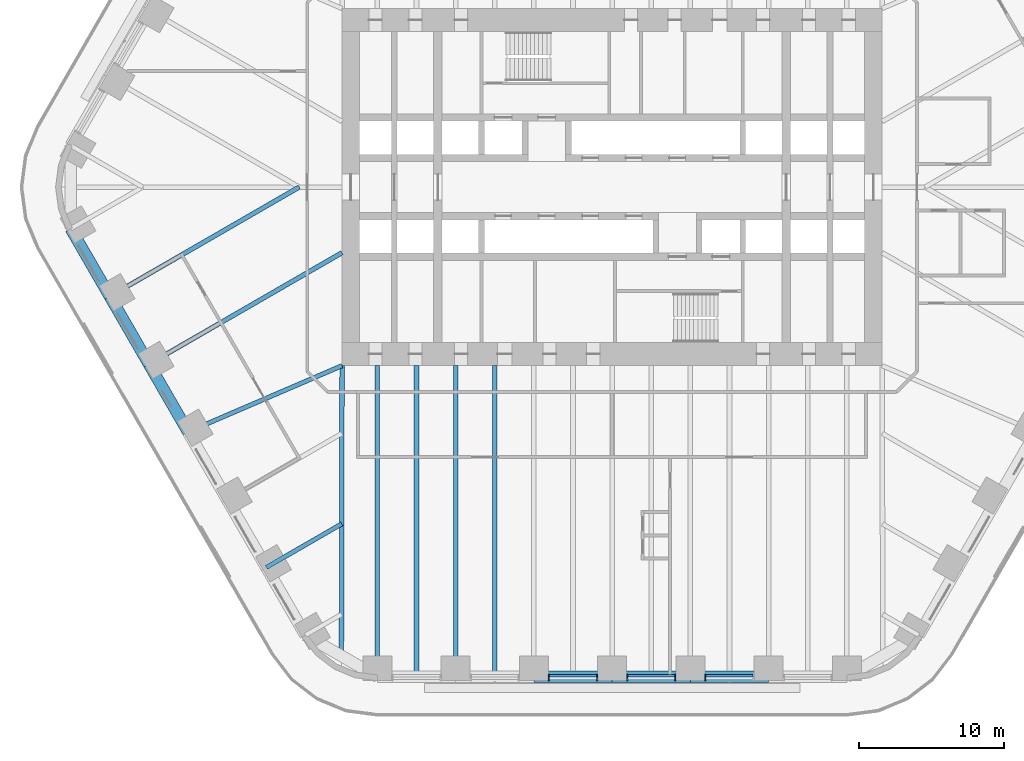
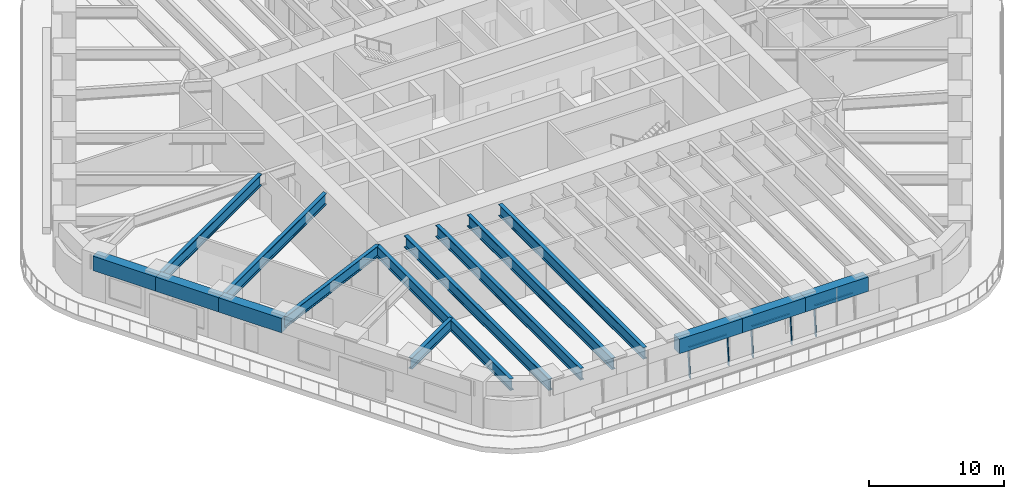
# One storey, part 3 of 24: 15 beams, 8 members, 3 elements without a shape of their own.
"""IFC4 building model written with IfcOpenShell, lengths in metres."""

import ifcopenshell
import ifcopenshell.guid

model = None  # the IFC model being written
_history = None  # IfcOwnerHistory: only IFC2X3 demands one
_inside = {}  # id of a spatial element -> (the spatial element, [elements in it])
_under = {}  # id of a project, library or spatial element -> (it, [spatial elements below it])
_declared = {}  # id of a project -> (the project, [libraries it declares])
_typed = {}  # id of a type object -> (the type object, [elements of that type])
_made_of = {}  # id of a material, layer set ... -> (it, [elements and type objects made of it])


def new_model(schema):
    """Start an empty IFC model of exactly this schema.

    Asked for "IFC4X3", IfcOpenShell would pick the latest addendum, in which some entities
    have other attributes; the version numbers below select the first issue.
    IFC2X3 requires an IfcOwnerHistory on every rooted entity: one is made here for all.
    """
    global model, _history
    if schema == "IFC4X3":
        model = ifcopenshell.file(schema_version=(4, 3, 0, 0))
    else:
        model = ifcopenshell.file(schema=schema)
    _inside.clear()
    _under.clear()
    _declared.clear()
    _typed.clear()
    _made_of.clear()
    _history = None
    if model.schema == "IFC2X3":
        org = make("IfcOrganization", Name="unknown")
        user = make(
            "IfcPersonAndOrganization",
            ThePerson=make("IfcPerson", FamilyName="unknown"),
            TheOrganization=org,
        )
        app = make(
            "IfcApplication",
            ApplicationDeveloper=org,
            Version="unknown",
            ApplicationFullName="unknown",
            ApplicationIdentifier="unknown",
        )
        _history = make(
            "IfcOwnerHistory",
            OwningUser=user,
            OwningApplication=app,
            ChangeAction="ADDED",
            CreationDate=0,
        )
    return model


def make(cls, **values):
    """One entity of the class cls with the attributes given. An attribute that is None is left unset."""
    return model.create_entity(
        cls, **{name: value for name, value in values.items() if value is not None}
    )


def rooted(cls, **values):
    """An entity with a GlobalId (a new one), such as an element, a storey or a relation."""
    return make(cls, GlobalId=ifcopenshell.guid.new(), OwnerHistory=_history, **values)


def si_unit(unit_type, name, prefix=None):
    """IfcSIUnit, for example si_unit("LENGTHUNIT", "METRE", prefix="MILLI")."""
    return make("IfcSIUnit", UnitType=unit_type, Prefix=prefix, Name=name)


def assignment(units):
    """IfcUnitAssignment: the units of a project."""
    return None if units is None else make("IfcUnitAssignment", Units=units)


def point(xyz):
    """IfcCartesianPoint."""
    return None if xyz is None else make("IfcCartesianPoint", Coordinates=xyz)


def direction(xyz):
    """IfcDirection."""
    return None if xyz is None else make("IfcDirection", DirectionRatios=xyz)


def frame(location, z_axis=None, x_axis=None):
    """IfcAxis2Placement3D, a coordinate frame: its origin and axes. An axis left out is left unset."""
    return make(
        "IfcAxis2Placement3D",
        Location=point(location),
        Axis=direction(z_axis),
        RefDirection=direction(x_axis),
    )


def frame_2d(location, x_axis=None):
    """IfcAxis2Placement2D, a coordinate frame in the plane: its origin and x axis."""
    return make(
        "IfcAxis2Placement2D", Location=point(location), RefDirection=direction(x_axis)
    )


def origin():
    """The frame at (0, 0, 0) with its axes left unset."""
    return frame((0.0, 0.0, 0.0))


def origin_2d():
    """The frame at (0, 0) in the plane with its x axis left unset."""
    return frame_2d((0.0, 0.0))


def place(relative_to, where):
    """IfcLocalPlacement: puts the frame where relative to a parent placement (None: the world)."""
    return make(
        "IfcLocalPlacement", PlacementRelTo=relative_to, RelativePlacement=where
    )


def context(
    kind, dimensions, precision=None, world=None, true_north=None, identifier=None
):
    """IfcGeometricRepresentationContext, for example the 3D "Model" context."""
    return make(
        "IfcGeometricRepresentationContext",
        ContextIdentifier=identifier,
        ContextType=kind,
        CoordinateSpaceDimension=dimensions,
        Precision=precision,
        WorldCoordinateSystem=world,
        TrueNorth=true_north,
    )


def subcontext(parent, identifier, kind, view, scale=None):
    """IfcGeometricRepresentationSubContext, for example "Body" below "Model"."""
    return make(
        "IfcGeometricRepresentationSubContext",
        ContextIdentifier=identifier,
        ContextType=kind,
        ParentContext=parent,
        TargetScale=scale,
        TargetView=view,
    )


def project(units=None, contexts=None):
    """IfcProject with its units and contexts."""
    return rooted(
        "IfcProject",
        Name="project",
        RepresentationContexts=contexts,
        UnitsInContext=assignment(units),
    )


def spatial(cls, under=None, at=None, **own):
    """A site, building, storey or space (cls), placed at a placement, below another one or the project."""
    s = rooted(cls, ObjectPlacement=at, **own)
    if under is not None:
        _under.setdefault(under.id(), (under, []))[1].append(s)
    return s


def profile(cls, at=None, kind="AREA", **sizes):
    """A parametric profile (cls). Its sizes go by their IFC names, for example OverallWidth=200.0."""
    return make(cls, ProfileType=kind, Position=at, **sizes)


def rectangle(**sizes):
    """IfcRectangleProfileDef."""
    return profile("IfcRectangleProfileDef", **sizes)


def i_section(**sizes):
    """IfcIShapeProfileDef."""
    return profile("IfcIShapeProfileDef", **sizes)


def extrude(swept, where, along, depth):
    """IfcExtrudedAreaSolid: the profile swept, set in the frame where, extruded along a direction by depth."""
    return make(
        "IfcExtrudedAreaSolid",
        SweptArea=swept,
        Position=where,
        ExtrudedDirection=direction(along),
        Depth=depth,
    )


def shape(context_of_items, identifier, shape_type, items):
    """IfcShapeRepresentation: the items that make up one representation, for example the "Body"."""
    return make(
        "IfcShapeRepresentation",
        ContextOfItems=context_of_items,
        RepresentationIdentifier=identifier,
        RepresentationType=shape_type,
        Items=items,
    )


def material(Name=None, Category=None):
    """IfcMaterial."""
    return make("IfcMaterial", Name=Name, Category=Category)


def material_profile(
    of_material, cross_section, Name=None, Category=None, Priority=None
):
    """IfcMaterialProfile: a cross section and its material."""
    return make(
        "IfcMaterialProfile",
        Name=Name,
        Material=of_material,
        Profile=cross_section,
        Priority=Priority,
        Category=Category,
    )


def profile_set(profiles, Name=None, composite=None):
    """IfcMaterialProfileSet."""
    return make(
        "IfcMaterialProfileSet",
        Name=Name,
        MaterialProfiles=profiles,
        CompositeProfile=composite,
    )


def made_of(thing, what):
    """Note that an element or type object is made of a material, layer set ...; save() writes the relation."""
    if what is not None:
        _made_of.setdefault(what.id(), (what, []))[1].append(thing)
    return thing


def type_object(cls, material=None, **own):
    """A type object (cls), such as IfcWallType, which elements share."""
    return made_of(rooted(cls, **own), material)


def element(
    cls,
    number,
    at=None,
    inside=None,
    cuts=None,
    type_object=None,
    material=None,
    context=None,
    identifier="Body",
    shape_type=None,
    held_by="IfcProductDefinitionShape",
    body=None,
    shapes=None,
    **own,
):
    """One element of the class cls, such as IfcWall. Its Tag is "e" and its number.

    at: its placement. inside: the storey or other place that contains it. cuts: it is an
    opening in that element (IfcRelVoidsElement). A single representation is given by context,
    identifier, shape_type and body (its items); several are given by shapes. held_by: the class
    of the entity that holds the representations. save() writes the other relations.
    """
    e = rooted(cls, Tag="e%d" % number, ObjectPlacement=at, **own)
    if body is not None:
        shapes = [shape(context, identifier, shape_type, body)]
    if shapes is not None:
        e.Representation = make(held_by, Representations=shapes)
    if inside is not None:
        _inside.setdefault(inside.id(), (inside, []))[1].append(e)
    if cuts is not None:
        rooted(
            "IfcRelVoidsElement", RelatingBuildingElement=cuts, RelatedOpeningElement=e
        )
    if type_object is not None:
        _typed.setdefault(type_object.id(), (type_object, []))[1].append(e)
    return made_of(e, material)


def aggregate(whole, parts):
    """IfcRelAggregates: a whole, such as a stair, and the parts it consists of."""
    return rooted("IfcRelAggregates", RelatingObject=whole, RelatedObjects=parts)


def save(model, path):
    """Write the relations noted so far, then the file.

    IfcRelAggregates (storeys below a building ...), IfcRelContainedInSpatialStructure (elements
    in a storey), IfcRelDefinesByType, IfcRelAssociatesMaterial and IfcRelDeclares: one each for
    every whole, place, type object, material and project.
    """
    for whole, parts in _under.values():
        aggregate(whole, parts)
    for where, things in _inside.values():
        rooted(
            "IfcRelContainedInSpatialStructure",
            RelatedElements=things,
            RelatingStructure=where,
        )
    for kind, things in _typed.values():
        rooted("IfcRelDefinesByType", RelatedObjects=things, RelatingType=kind)
    for what, things in _made_of.values():
        rooted("IfcRelAssociatesMaterial", RelatedObjects=things, RelatingMaterial=what)
    for by, libraries in _declared.values():
        rooted("IfcRelDeclares", RelatingContext=by, RelatedDefinitions=libraries)
    model.write(path)


model = new_model("IFC4")

# Units and contexts
model_context = context("Model", 3, precision=1e-05, world=origin(), true_north=direction((0.0, 1.0)))
body_context = subcontext(model_context, "Body", "Model", "MODEL_VIEW")
ifc_project = project(units=[si_unit("LENGTHUNIT", "METRE"), si_unit("AREAUNIT", "SQUARE_METRE"), si_unit("VOLUMEUNIT", "CUBIC_METRE"), si_unit("PLANEANGLEUNIT", "RADIAN"), si_unit("MASSUNIT", "GRAM", prefix="KILO")], contexts=[model_context])

# Site, building, storey
site_placement = place(None, origin())
site = spatial("IfcSite", under=ifc_project, at=site_placement, CompositionType="ELEMENT")
building_placement = place(site_placement, origin())
building = spatial("IfcBuilding", under=site, at=building_placement, Name="Tarfa Lantern Tower", CompositionType="ELEMENT")
storey_placement = place(building_placement, frame((0.0, 0.0, 73.89990234375)))
storey = spatial("IfcBuildingStorey", under=building, at=storey_placement, Name="L16", CompositionType="ELEMENT", Elevation=73.89990234375)

# Curtain wall, members
ifc_material_1 = material(Name="Aluminium framed curtain wall", Category="aluminium")
curtain_wall_type = type_object("IfcCurtainWallType", Name="CW1 CANTED GLAZING LOW ZONE 2700", PredefinedType="USERDEFINED", material=ifc_material_1)
curtain_wall_1_placement = place(storey_placement, origin())
curtain_wall_1 = element("IfcCurtainWall", 1, at=curtain_wall_1_placement, inside=storey, type_object=curtain_wall_type, Name="CW1 S L16", ObjectType="CURTAIN WALL", PredefinedType="USERDEFINED")
ifc_material_2 = material(Name="Aluminium mullion", Category="aluminium")
ifc_material_profile_1 = material_profile(ifc_material_2, rectangle(XDim=0.06494140625, YDim=0.199951171875, at=origin_2d()), Name="AL MULLION 65x200")
ifc_profile_set_1 = profile_set([ifc_material_profile_1], Name="Aluminium mullion")
member_type_1 = type_object("IfcMemberType", Name="CWM1 MULLION 65x200", PredefinedType="MULLION", material=ifc_profile_set_1)
member_1_placement = place(storey_placement, frame((-4.356201171875, -33.89990234375, 0.0), z_axis=(0.0, 0.092191598296, 0.995741286281), x_axis=(-1.0, 0.0, 0.0)))
member_1 = element("IfcMember", 2, at=member_1_placement, type_object=member_type_1, Name="CW1 mullion 1", PredefinedType="MULLION", context=body_context, shape_type="SweptSolid", body=[
    extrude(rectangle(XDim=0.06494140625, YDim=0.199951171875, at=origin_2d()), origin(), (0.0, 0.0, 1.0), 2.711669921875),
])
member_2_placement = place(storey_placement, frame((-1.032470703125, -33.89990234375, 0.0), z_axis=(0.0, 0.092191598296, 0.995741286281), x_axis=(-1.0, 0.0, 0.0)))
member_2 = element("IfcMember", 3, at=member_2_placement, type_object=member_type_1, Name="CW1 mullion 2", PredefinedType="MULLION", context=body_context, shape_type="SweptSolid", body=[
    extrude(rectangle(XDim=0.06494140625, YDim=0.199951171875, at=origin_2d()), origin(), (0.0, 0.0, 1.0), 2.711669921875),
])

curtain_wall_2_placement = place(storey_placement, origin())
curtain_wall_2 = element("IfcCurtainWall", 4, at=curtain_wall_2_placement, inside=storey, type_object=curtain_wall_type, Name="CW1 S L16", ObjectType="CURTAIN WALL", PredefinedType="USERDEFINED")
member_3_placement = place(storey_placement, frame((1.032470703125, -33.89990234375, 0.0), z_axis=(0.0, 0.092191598296, 0.995741286281), x_axis=(-1.0, 0.0, 0.0)))
member_3 = element("IfcMember", 5, at=member_3_placement, type_object=member_type_1, Name="CW1 mullion 1", PredefinedType="MULLION", context=body_context, shape_type="SweptSolid", body=[
    extrude(rectangle(XDim=0.06494140625, YDim=0.199951171875, at=origin_2d()), origin(), (0.0, 0.0, 1.0), 2.711669921875),
])
member_4_placement = place(storey_placement, frame((4.356201171875, -33.89990234375, 0.0), z_axis=(0.0, 0.092191598296, 0.995741286281), x_axis=(-1.0, 0.0, 0.0)))
member_4 = element("IfcMember", 6, at=member_4_placement, type_object=member_type_1, Name="CW1 mullion 2", PredefinedType="MULLION", context=body_context, shape_type="SweptSolid", body=[
    extrude(rectangle(XDim=0.06494140625, YDim=0.199951171875, at=origin_2d()), origin(), (0.0, 0.0, 1.0), 2.711669921875),
])

# Curtain wall, member
curtain_wall_3_placement = place(storey_placement, origin())
curtain_wall_3 = element("IfcCurtainWall", 7, at=curtain_wall_3_placement, inside=storey, type_object=curtain_wall_type, Name="CW1 S L16", ObjectType="CURTAIN WALL", PredefinedType="USERDEFINED")
member_5_placement = place(storey_placement, frame((6.421142578125, -33.89990234375, 0.0), z_axis=(0.0, 0.092191598296, 0.995741286281), x_axis=(-1.0, 0.0, 0.0)))
member_5 = element("IfcMember", 8, at=member_5_placement, type_object=member_type_1, Name="CW1 mullion 1", PredefinedType="MULLION", context=body_context, shape_type="SweptSolid", body=[
    extrude(rectangle(XDim=0.06494140625, YDim=0.199951171875, at=origin_2d()), origin(), (0.0, 0.0, 1.0), 2.711669921875),
])

# Member
ifc_material_3 = material(Name="Aluminium transom", Category="aluminium")
ifc_material_profile_2 = material_profile(ifc_material_3, rectangle(XDim=0.14990234375, YDim=0.06494140625, at=origin_2d()), Name="AL TRANSOM 150x65")
ifc_profile_set_2 = profile_set([ifc_material_profile_2], Name="Aluminium transom")
member_type_2 = type_object("IfcMemberType", Name="CWT1 TRANSOM 150x65", PredefinedType="USERDEFINED", material=ifc_profile_set_2)
member_6_placement = place(storey_placement, frame((-4.323486328125, -33.653076171875, 2.66748046875), z_axis=(1.0, 0.0, 0.0), x_axis=(0.0, 1.0, 0.0)))
member_6 = element("IfcMember", 9, at=member_6_placement, type_object=member_type_2, Name="CW1 transom 1.2", ObjectType="TRANSOM", PredefinedType="USERDEFINED", context=body_context, shape_type="SweptSolid", body=[
    extrude(rectangle(XDim=0.14990234375, YDim=0.06494140625, at=origin_2d()), origin(), (0.0, 0.0, 1.0), 3.258544921875),
])

aggregate(curtain_wall_1, [member_1, member_2, member_6])

member_7_placement = place(storey_placement, frame((1.06494140625, -33.653076171875, 2.66748046875), z_axis=(1.0, 0.0, 0.0), x_axis=(0.0, 1.0, 0.0)))
member_7 = element("IfcMember", 10, at=member_7_placement, type_object=member_type_2, Name="CW1 transom 1.2", ObjectType="TRANSOM", PredefinedType="USERDEFINED", context=body_context, shape_type="SweptSolid", body=[
    extrude(rectangle(XDim=0.14990234375, YDim=0.06494140625, at=origin_2d()), origin(), (0.0, 0.0, 1.0), 3.258544921875),
])

aggregate(curtain_wall_2, [member_3, member_4, member_7])

member_8_placement = place(storey_placement, frame((6.45361328125, -33.653076171875, 2.66748046875), z_axis=(1.0, 0.0, 0.0), x_axis=(0.0, 1.0, 0.0)))
member_8 = element("IfcMember", 11, at=member_8_placement, type_object=member_type_2, Name="CW1 transom 1.2", ObjectType="TRANSOM", PredefinedType="USERDEFINED", context=body_context, shape_type="SweptSolid", body=[
    extrude(rectangle(XDim=0.14990234375, YDim=0.06494140625, at=origin_2d()), origin(), (0.0, 0.0, 1.0), 3.258544921875),
])

aggregate(curtain_wall_3, [member_5, member_8])

# Beams
ifc_material_4 = material(Name="Concrete C80/95", Category="concrete")
ifc_material_profile_3 = material_profile(ifc_material_4, rectangle(XDim=0.800048828125, YDim=1.300048828125, at=origin_2d()), Name="RC 800x1300")
ifc_profile_set_3 = profile_set([ifc_material_profile_3], Name="Concrete C80/95")
beam_type_1 = type_object("IfcBeamType", Name="EB1 RC 800x1300", PredefinedType="SPANDREL", material=ifc_profile_set_3)
beam_1_placement = place(storey_placement, frame((-37.285400390625, -2.860107421875, 3.35009765625), z_axis=(0.500017906299, -0.866015065331, 0.0), x_axis=(0.866015065331, 0.500017906299, 0.0)))
element("IfcBeam", 12, at=beam_1_placement, inside=storey, type_object=beam_type_1, Name="Edge beam SW0", PredefinedType="SPANDREL", context=body_context, shape_type="SweptSolid", body=[
    extrude(rectangle(XDim=0.800048828125, YDim=1.300048828125, at=origin_2d()), origin(), (0.0, 0.0, 1.0), 5.388427734375),
])
for number, where, z_axis, x_axis, name in (
    (13, (-34.591064453125, -7.526611328125, 3.35009765625), (0.499998287579, -0.866026392449, 0.0), (0.866026392449, 0.499998287579, 0.0), "Edge beam SW1"),
    (14, (-31.896728515625, -12.193359375, 3.35009765625), (0.499998287579, -0.866026392449, 0.0), (0.866026392449, 0.499998287579, 0.0), "Edge beam SW2"),
    (15, (-5.388671875, -33.719970703125, 3.35009765625), (1.0, 0.0, 0.0), (0.0, 1.0, 0.0), "Edge beam S2"),
    (16, (0.0, -33.719970703125, 3.35009765625), (1.0, 0.0, 0.0), (0.0, 1.0, 0.0), "Edge beam S3"),
):
    element("IfcBeam", number, at=place(storey_placement, frame(where, z_axis=z_axis, x_axis=x_axis)), inside=storey, type_object=beam_type_1, Name=name, PredefinedType="SPANDREL", context=body_context, shape_type="SweptSolid", body=[
        extrude(rectangle(XDim=0.800048828125, YDim=1.300048828125, at=origin_2d()), origin(), (0.0, 0.0, 1.0), 5.388671875),
    ])
beam_2_placement = place(storey_placement, frame((5.388671875, -33.719970703125, 3.35009765625), z_axis=(1.0, 0.0, 0.0), x_axis=(0.0, 1.0, 0.0)))
element("IfcBeam", 17, at=beam_2_placement, inside=storey, type_object=beam_type_1, Name="Edge beam S4", PredefinedType="SPANDREL", context=body_context, shape_type="SweptSolid", body=[
    extrude(rectangle(XDim=0.800048828125, YDim=1.300048828125, at=origin_2d()), origin(), (0.0, 0.0, 1.0), 5.388427734375),
])
ifc_material_5 = material(Name="Steel S460M", Category="steel")
ifc_material_profile_4 = material_profile(ifc_material_5, i_section(OverallWidth=0.302001953125, OverallDepth=1.008056640625, WebThickness=0.02099609375, FlangeThickness=0.0400390625, FilletRadius=0.030029296875, at=origin_2d()), Name="UB1016x305x349")
ifc_profile_set_4 = profile_set([ifc_material_profile_4], Name="Steel S460M")
beam_type_2 = type_object("IfcBeamType", Name="UB1016x305x349", PredefinedType="BEAM", material=ifc_profile_set_4)
beam_3_placement = place(storey_placement, frame((-29.202392578125, -16.860107421875, 3.49609375), z_axis=(0.918635483867, 0.395106122175, 0.0), x_axis=(-0.395106122175, 0.918635483867, 0.0)))
element("IfcBeam", 18, at=beam_3_placement, inside=storey, type_object=beam_type_2, Name="Floor beam SW3", PredefinedType="BEAM", context=body_context, shape_type="SweptSolid", body=[
    extrude(i_section(OverallWidth=0.302001953125, OverallDepth=1.008056640625, WebThickness=0.02099609375, FlangeThickness=0.0400390625, FilletRadius=0.030029296875, at=origin_2d()), origin(), (0.0, 0.0, 1.0), 11.541259765625),
])
beam_4_placement = place(storey_placement, frame((-23.813720703125, -26.193359375, 3.49609375), z_axis=(0.866015997389, 0.500016292001, 0.0), x_axis=(-0.500016292001, 0.866015997389, 0.0)))
element("IfcBeam", 19, at=beam_4_placement, inside=storey, type_object=beam_type_2, Name="Floor beam SW5", PredefinedType="BEAM", context=body_context, shape_type="SweptSolid", body=[
    extrude(i_section(OverallWidth=0.302001953125, OverallDepth=1.008056640625, WebThickness=0.02099609375, FlangeThickness=0.0400390625, FilletRadius=0.030029296875, at=origin_2d()), origin(), (0.0, 0.0, 1.0), 5.993408203125),
])
ifc_material_profile_5 = material_profile(ifc_material_5, i_section(OverallWidth=0.314208984375, OverallDepth=1.055908203125, WebThickness=0.035888671875, FlangeThickness=0.06396484375, FilletRadius=0.030029296875, at=origin_2d()), Name="UB1016x305x584")
ifc_profile_set_5 = profile_set([ifc_material_profile_5], Name="Steel S460M")
beam_type_3 = type_object("IfcBeamType", Name="UB1016x305x584", PredefinedType="BEAM", material=ifc_profile_set_5)
beam_5_placement = place(storey_placement, frame((-18.60009765625, -12.300048828125, 3.47216796875), z_axis=(-0.00212508222, -0.99999774201, 0.0), x_axis=(0.99999774201, -0.00212508222, 0.0)))
element("IfcBeam", 20, at=beam_5_placement, inside=storey, type_object=beam_type_3, Name="Hip girder SW", PredefinedType="BEAM", context=body_context, shape_type="SweptSolid", body=[
    extrude(i_section(OverallWidth=0.314208984375, OverallDepth=1.055908203125, WebThickness=0.035888671875, FlangeThickness=0.06396484375, FilletRadius=0.030029296875, at=origin_2d()), origin(), (0.0, 0.0, 1.0), 19.989990234375),
])
beam_6_placement = place(storey_placement, frame((-34.591064453125, -7.526611328125, 3.47216796875), z_axis=(0.86602785945, 0.499995746638, 0.0), x_axis=(-0.499995746638, 0.86602785945, 0.0)))
element("IfcBeam", 21, at=beam_6_placement, inside=storey, type_object=beam_type_3, Name="Floor beam SW1", PredefinedType="BEAM", context=body_context, shape_type="SweptSolid", body=[
    extrude(i_section(OverallWidth=0.314208984375, OverallDepth=1.055908203125, WebThickness=0.035888671875, FlangeThickness=0.06396484375, FilletRadius=0.030029296875, at=origin_2d()), origin(), (0.0, 0.0, 1.0), 15.053466796875),
])
beam_7_placement = place(storey_placement, frame((-31.896728515625, -12.193359375, 3.47216796875), z_axis=(0.866026971665, 0.499997284341, 0.0), x_axis=(-0.499997284341, 0.866026971665, 0.0)))
element("IfcBeam", 22, at=beam_7_placement, inside=storey, type_object=beam_type_3, Name="Floor beam SW2", PredefinedType="BEAM", context=body_context, shape_type="SweptSolid", body=[
    extrude(i_section(OverallWidth=0.314208984375, OverallDepth=1.055908203125, WebThickness=0.035888671875, FlangeThickness=0.06396484375, FilletRadius=0.030029296875, at=origin_2d()), origin(), (0.0, 0.0, 1.0), 15.353515625),
])
for number, where, z_axis, x_axis, name in (
    (23, (-16.165771484375, -33.719970703125, 3.47216796875), (0.0, 1.0, 0.0), (-1.0, 0.0, 0.0), "Floor beam S0"),
    (24, (-10.777099609375, -33.719970703125, 3.47216796875), (0.0, 1.0, 0.0), (-1.0, 0.0, 0.0), "Floor beam S1"),
    (25, (-13.471435546875, -33.719970703125, 3.47216796875), (0.0, 1.0, 0.0), (-1.0, 0.0, 0.0), "Floor beam S0M"),
    (26, (-8.0830078125, -33.719970703125, 3.47216796875), (0.0, 1.0, 0.0), (-1.0, 0.0, 0.0), "Floor beam S1M"),
):
    element("IfcBeam", number, at=place(storey_placement, frame(where, z_axis=z_axis, x_axis=x_axis)), inside=storey, type_object=beam_type_3, Name=name, PredefinedType="BEAM", context=body_context, shape_type="SweptSolid", body=[
        extrude(i_section(OverallWidth=0.314208984375, OverallDepth=1.055908203125, WebThickness=0.035888671875, FlangeThickness=0.06396484375, FilletRadius=0.030029296875, at=origin_2d()), origin(), (0.0, 0.0, 1.0), 21.419921875),
    ])

save(model, "model.ifc")
